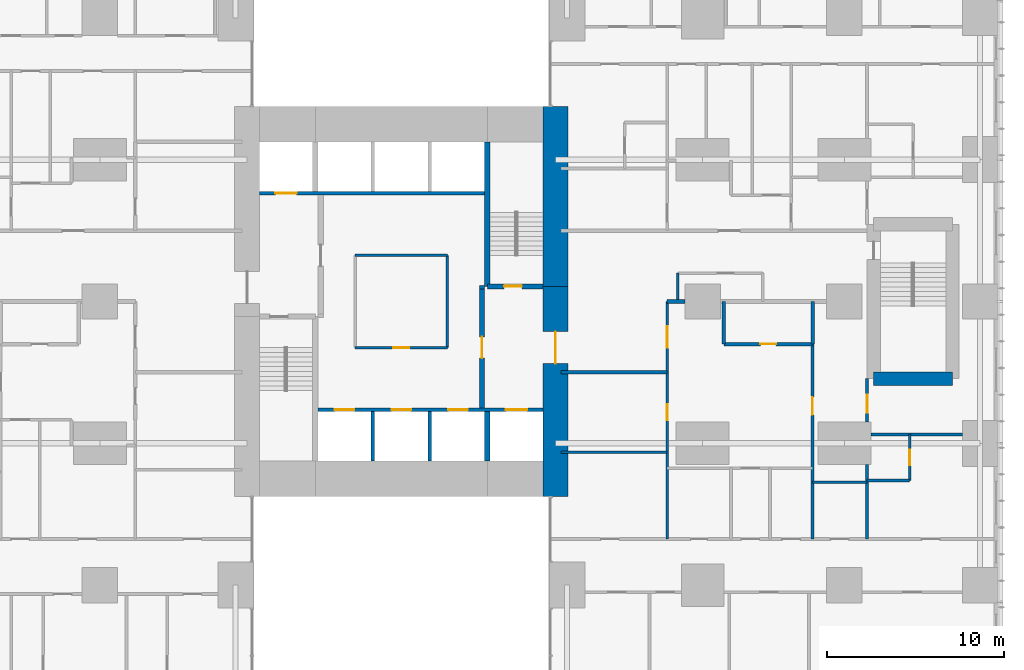
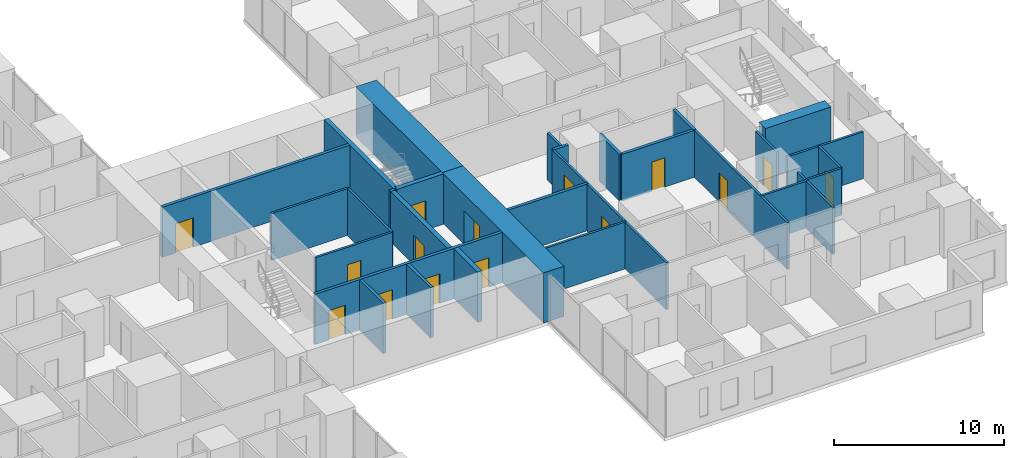
# One storey, part 15 of 20: 30 walls, 15 doors, 15 openings.
"""IFC4 building model written with IfcOpenShell, lengths in metres."""

from ifc_helpers import new_model, si_unit, direction, frame, frame_2d, origin, place, context, subcontext, project, spatial, rectangle, extrude, material, layer, layer_set, type_object, element, fill, save


model = new_model("IFC4")

# Units and contexts
model_context = context("Model", 3, precision=1e-05, world=origin(), true_north=direction((0.0, 1.0)))
body_context = subcontext(model_context, "Body", "Model", "MODEL_VIEW")
ifc_project = project(units=[si_unit("LENGTHUNIT", "METRE"), si_unit("AREAUNIT", "SQUARE_METRE"), si_unit("VOLUMEUNIT", "CUBIC_METRE"), si_unit("PLANEANGLEUNIT", "RADIAN"), si_unit("MASSUNIT", "GRAM", prefix="KILO")], contexts=[model_context])

# Site, building, storey
site_placement = place(None, origin())
site = spatial("IfcSite", under=ifc_project, at=site_placement, CompositionType="ELEMENT")
building_placement = place(site_placement, origin())
building = spatial("IfcBuilding", under=site, at=building_placement, Name="Cleftline Residences", CompositionType="ELEMENT")
storey_placement = place(building_placement, frame((0.0, 0.0, 33.199951171875)))
storey = spatial("IfcBuildingStorey", under=building, at=storey_placement, Name="L07", CompositionType="ELEMENT", Elevation=33.199951171875)

# Wall, opening, door
ifc_material_1 = material(Name="Concrete B70", Category="concrete")
ifc_layer_1 = layer(ifc_material_1, 1.39990234375)
ifc_layer_set_1 = layer_set([ifc_layer_1], Name="CORE WALL 1400")
wall_type_1 = type_object("IfcWallType", Name="CORE WALL 1400", PredefinedType="SHEAR", material=ifc_layer_set_1)
wall_1_placement = place(storey_placement, frame((41.699951171875, 13.0, 0.0), z_axis=(0.0, 0.0, 1.0), x_axis=(0.0, 1.0, 0.0)))
wall_1 = element("IfcWall", 1, at=wall_1_placement, inside=storey, type_object=wall_type_1, Name="Core wall E", PredefinedType="SHEAR", context=body_context, shape_type="SweptSolid", body=[
    extrude(rectangle(XDim=11.85009765625, YDim=1.39990234375, at=frame_2d((5.925048828125, 0.0))), origin(), (0.0, 0.0, 1.0), 3.60009765625),
])
opening_1_placement = place(wall_1_placement, frame((7.5, 0.0, 0.0)))
opening_1 = element("IfcOpeningElement", 2, at=opening_1_placement, cuts=wall_1, Name="Opening D7", PredefinedType="OPENING", context=body_context, shape_type="SweptSolid", body=[
    extrude(rectangle(XDim=1.800048828125, YDim=2.39990234375, at=frame_2d((0.89990234375, 1.199951171875))), frame((0.0, 0.7099609375, 0.0), z_axis=(0.0, -1.0, 0.0), x_axis=(1.0, 0.0, 0.0)), (0.0, 0.0, 1.0), 1.419921875),
])
ifc_material_2 = material(Name="Steel", Category="steel")
door_type_1 = type_object("IfcDoorType", Name="WING DOOR 1800X2400", OperationType="DOUBLE_DOOR_DOUBLE_SWING", PredefinedType="DOOR", material=ifc_material_2)
door_1_placement = place(opening_1_placement, origin())
door_1 = element("IfcDoor", 3, at=door_1_placement, inside=storey, type_object=door_type_1, Name="East wing door", OperationType="DOUBLE_DOOR_DOUBLE_SWING", OverallHeight=2.39990234375, OverallWidth=1.800048828125, PredefinedType="DOOR", context=body_context, shape_type="SweptSolid", body=[
    extrude(rectangle(XDim=1.800048828125, YDim=2.39990234375, at=frame_2d((0.89990234375, 1.199951171875))), frame((0.0, 0.02490234375, 0.0), z_axis=(0.0, -1.0, 0.0), x_axis=(1.0, 0.0, 0.0)), (0.0, 0.0, 1.0), 0.050048828125),
])
fill(opening_1, door_1)

# Walls
wall_2_placement = place(storey_placement, frame((41.699951171875, 24.85009765625, 0.0), z_axis=(0.0, 0.0, 1.0), x_axis=(0.0, 1.0, 0.0)))
element("IfcWall", 4, at=wall_2_placement, inside=storey, type_object=wall_type_1, Name="Core wall E1", PredefinedType="SHEAR", context=body_context, shape_type="SweptSolid", body=[
    extrude(rectangle(XDim=10.14990234375, YDim=1.39990234375, at=frame_2d((5.074951171875, 0.0))), origin(), (0.0, 0.0, 1.0), 3.60009765625),
])
ifc_material_3 = material(Name="Concrete B70", Category="concrete")
ifc_layer_2 = layer(ifc_material_3, 0.300048828125)
ifc_layer_set_2 = layer_set([ifc_layer_2], Name="CORE WALL 300")
wall_type_2 = type_object("IfcWallType", Name="CORE WALL 300", PredefinedType="SHEAR", material=ifc_layer_set_2)
wall_3_placement = place(storey_placement, frame((37.85009765625, 24.85009765625, 0.0), z_axis=(0.0, 0.0, 1.0), x_axis=(0.0, 1.0, 0.0)))
element("IfcWall", 5, at=wall_3_placement, inside=storey, type_object=wall_type_2, Name="Core wall SB-W", PredefinedType="SHEAR", context=body_context, shape_type="SweptSolid", body=[
    extrude(rectangle(XDim=8.14990234375, YDim=0.300048828125, at=frame_2d((4.074951171875, 0.0))), origin(), (0.0, 0.0, 1.0), 3.60009765625),
])

# Wall, opening, door
wall_4_placement = place(storey_placement, frame((37.85009765625, 24.85009765625, 0.0), z_axis=(0.0, 0.0, 1.0), x_axis=(1.0, 0.0, 0.0)))
wall_4 = element("IfcWall", 6, at=wall_4_placement, inside=storey, type_object=wall_type_2, Name="Core wall SB-S", PredefinedType="SHEAR", context=body_context, shape_type="SweptSolid", body=[
    extrude(rectangle(XDim=3.14990234375, YDim=0.300048828125, at=frame_2d((1.574951171875, 0.0))), origin(), (0.0, 0.0, 1.0), 3.60009765625),
])
opening_2_placement = place(wall_4_placement, frame((0.949951171875, 0.0, 0.0)))
opening_2 = element("IfcOpeningElement", 7, at=opening_2_placement, cuts=wall_4, Name="Opening D5", PredefinedType="OPENING", context=body_context, shape_type="SweptSolid", body=[
    extrude(rectangle(XDim=1.0, YDim=2.10009765625, at=frame_2d((0.5, 1.050048828125))), frame((0.0, 0.159912109375, 0.0), z_axis=(0.0, -1.0, 0.0), x_axis=(1.0, 0.0, 0.0)), (0.0, 0.0, 1.0), 0.320068359375),
])
ifc_material_4 = material(Name="Steel", Category="steel")
door_type_2 = type_object("IfcDoorType", Name="STAIR DOOR 1000X2100", OperationType="SINGLE_SWING_LEFT", PredefinedType="DOOR", material=ifc_material_4)
door_2_placement = place(opening_2_placement, origin())
door_2 = element("IfcDoor", 8, at=door_2_placement, inside=storey, type_object=door_type_2, Name="Stair B door", OperationType="SINGLE_SWING_RIGHT", OverallHeight=2.10009765625, OverallWidth=1.0, PredefinedType="DOOR", context=body_context, shape_type="SweptSolid", body=[
    extrude(rectangle(XDim=1.0, YDim=2.10009765625, at=frame_2d((0.5, 1.050048828125))), frame((0.0, 0.02490234375, 0.0), z_axis=(0.0, -1.0, 0.0), x_axis=(1.0, 0.0, 0.0)), (0.0, 0.0, 1.0), 0.050048828125),
])
fill(opening_2, door_2)

# Walls
wall_5_placement = place(storey_placement, frame((37.85009765625, 15.0, 0.0), z_axis=(0.0, 0.0, 1.0), x_axis=(0.0, 1.0, 0.0)))
element("IfcWall", 9, at=wall_5_placement, inside=storey, type_object=wall_type_2, Name="Lift shaft wall", PredefinedType="SHEAR", context=body_context, shape_type="SweptSolid", body=[
    extrude(rectangle(XDim=2.800048828125, YDim=0.300048828125, at=frame_2d((1.39990234375, 0.0))), origin(), (0.0, 0.0, 1.0), 3.60009765625),
])
ifc_material_5 = material(Name="Concrete blockwork, fire rated", Category="masonry")
ifc_layer_3 = layer(ifc_material_5, 0.199951171875)
ifc_layer_set_3 = layer_set([ifc_layer_3], Name="FIRE WALL 200")
wall_type_3 = type_object("IfcWallType", Name="FIRE WALL 200", PredefinedType="PARTITIONING", material=ifc_layer_set_3)
wall_6_placement = place(storey_placement, frame((42.0, 20.0, 0.0), z_axis=(0.0, 0.0, 1.0), x_axis=(1.0, 0.0, 0.0)))
element("IfcWall", 10, at=wall_6_placement, inside=storey, type_object=wall_type_3, Name="Fire separating wall", PredefinedType="PARTITIONING", context=body_context, shape_type="SweptSolid", body=[
    extrude(rectangle(XDim=6.0, YDim=0.199951171875, at=frame_2d((3.0, 0.0))), origin(), (0.0, 0.0, 1.0), 3.35009765625),
])

# Wall, opening, door
wall_7_placement = place(storey_placement, frame((51.199951171875, 21.60009765625, 0.0), z_axis=(0.0, 0.0, 1.0), x_axis=(1.0, 0.0, 0.0)))
wall_7 = element("IfcWall", 11, at=wall_7_placement, inside=storey, type_object=wall_type_3, Name="Fire separating wall", PredefinedType="PARTITIONING", context=body_context, shape_type="SweptSolid", body=[
    extrude(rectangle(XDim=5.0, YDim=0.199951171875, at=frame_2d((2.5, 0.0))), origin(), (0.0, 0.0, 1.0), 3.35009765625),
])
opening_3_placement = place(wall_7_placement, frame((2.050048828125, 0.0, 0.0)))
opening_3 = element("IfcOpeningElement", 12, at=opening_3_placement, cuts=wall_7, Name="Opening D1F30", PredefinedType="OPENING", context=body_context, shape_type="SweptSolid", body=[
    extrude(rectangle(XDim=0.89990234375, YDim=2.10009765625, at=frame_2d((0.449951171875, 1.050048828125))), frame((0.0, 0.10986328125, 0.0), z_axis=(0.0, -1.0, 0.0), x_axis=(1.0, 0.0, 0.0)), (0.0, 0.0, 1.0), 0.219970703125),
])
ifc_material_6 = material(Name="Timber veneer on solid core", Category="wood")
door_type_3 = type_object("IfcDoorType", Name="DOOR 900X2100 EI 30", OperationType="SINGLE_SWING_LEFT", PredefinedType="DOOR", material=ifc_material_6)
door_3_placement = place(opening_3_placement, origin())
door_3 = element("IfcDoor", 13, at=door_3_placement, inside=storey, type_object=door_type_3, Name="Door to cloakroom wc", OperationType="SINGLE_SWING_LEFT", OverallHeight=2.10009765625, OverallWidth=0.89990234375, PredefinedType="DOOR", context=body_context, shape_type="SweptSolid", body=[
    extrude(rectangle(XDim=0.89990234375, YDim=2.10009765625, at=frame_2d((0.449951171875, 1.050048828125))), frame((0.0, 0.02490234375, 0.0), z_axis=(0.0, -1.0, 0.0), x_axis=(1.0, 0.0, 0.0)), (0.0, 0.0, 1.0), 0.050048828125),
])
fill(opening_3, door_3)

# Walls
wall_8_placement = place(storey_placement, frame((48.0, 24.0, 0.0), z_axis=(0.0, 0.0, 1.0), x_axis=(1.0, 0.0, 0.0)))
element("IfcWall", 14, at=wall_8_placement, inside=storey, type_object=wall_type_3, Name="Fire separating wall", PredefinedType="PARTITIONING", context=body_context, shape_type="SweptSolid", body=[
    extrude(rectangle(XDim=1.0, YDim=0.199951171875, at=frame_2d((0.5, 0.0))), origin(), (0.0, 0.0, 1.0), 3.35009765625),
])
for number, where, z_axis, x_axis, name in (
    (15, (51.199951171875, 21.60009765625, 0.0), (0.0, 0.0, 1.0), (0.0, 1.0, 0.0), "Fire separating wall"),
    (16, (56.199951171875, 21.60009765625, 0.0), (0.0, 0.0, 1.0), (0.0, 1.0, 0.0), "Fire separating wall"),
):
    element("IfcWall", number, at=place(storey_placement, frame(where, z_axis=z_axis, x_axis=x_axis)), inside=storey, type_object=wall_type_3, Name=name, PredefinedType="PARTITIONING", context=body_context, shape_type="SweptSolid", body=[
        extrude(rectangle(XDim=2.39990234375, YDim=0.199951171875, at=frame_2d((1.199951171875, 0.0))), origin(), (0.0, 0.0, 1.0), 3.35009765625),
    ])
wall_9_placement = place(storey_placement, frame((37.39990234375, 24.800048828125, 0.0), z_axis=(0.0, 0.0, 1.0), x_axis=(1.0, 0.0, 0.0)))
element("IfcWall", 17, at=wall_9_placement, inside=storey, type_object=wall_type_3, Name="Fire separating wall", PredefinedType="PARTITIONING", context=body_context, shape_type="SweptSolid", body=[
    extrude(rectangle(XDim=0.300048828125, YDim=0.199951171875, at=frame_2d((0.14990234375, 0.0))), origin(), (0.0, 0.0, 1.0), 3.60009765625),
])
ifc_material_7 = material(Name="Gypsum board on steel studs", Category="steel")
ifc_layer_4 = layer(ifc_material_7, 0.14990234375)
ifc_layer_set_4 = layer_set([ifc_layer_4], Name="PARTITION 150")
wall_type_4 = type_object("IfcWallType", Name="PARTITION 150", PredefinedType="PARTITIONING", material=ifc_layer_set_4)
wall_10_placement = place(storey_placement, frame((56.199951171875, 13.800048828125, 0.0), z_axis=(0.0, 0.0, 1.0), x_axis=(1.0, 0.0, 0.0)))
element("IfcWall", 18, at=wall_10_placement, inside=storey, type_object=wall_type_4, Name="Partition", PredefinedType="PARTITIONING", context=body_context, shape_type="SweptSolid", body=[
    extrude(rectangle(XDim=3.074951171875, YDim=0.14990234375, at=frame_2d((1.53759765625, 0.0))), origin(), (0.0, 0.0, 1.0), 3.35009765625),
])
wall_11_placement = place(storey_placement, frame((59.27490234375, 13.89990234375, 0.0), z_axis=(0.0, 0.0, 1.0), x_axis=(1.0, 0.0, 0.0)))
element("IfcWall", 19, at=wall_11_placement, inside=storey, type_object=wall_type_4, Name="Partition", PredefinedType="PARTITIONING", context=body_context, shape_type="SweptSolid", body=[
    extrude(rectangle(XDim=2.400146484375, YDim=0.14990234375, at=frame_2d((1.2001953125, 0.0))), origin(), (0.0, 0.0, 1.0), 3.35009765625),
])
wall_12_placement = place(storey_placement, frame((42.0, 15.5, 0.0), z_axis=(0.0, 0.0, 1.0), x_axis=(1.0, 0.0, 0.0)))
element("IfcWall", 20, at=wall_12_placement, inside=storey, type_object=wall_type_4, Name="Partition", PredefinedType="PARTITIONING", context=body_context, shape_type="SweptSolid", body=[
    extrude(rectangle(XDim=6.0, YDim=0.14990234375, at=frame_2d((3.0, 0.0))), origin(), (0.0, 0.0, 1.0), 3.35009765625),
])
wall_13_placement = place(storey_placement, frame((59.5, 16.5, 0.0), z_axis=(0.0, 0.0, 1.0), x_axis=(1.0, 0.0, 0.0)))
element("IfcWall", 21, at=wall_13_placement, inside=storey, type_object=wall_type_4, Name="Partition", PredefinedType="PARTITIONING", context=body_context, shape_type="SweptSolid", body=[
    extrude(rectangle(XDim=5.14990234375, YDim=0.14990234375, at=frame_2d((2.574951171875, 0.0))), origin(), (0.0, 0.0, 1.0), 3.35009765625),
])

# Wall, openings, doors
wall_14_placement = place(storey_placement, frame((48.0, 10.60009765625, 0.0), z_axis=(0.0, 0.0, 1.0), x_axis=(0.0, 1.0, 0.0)))
wall_14 = element("IfcWall", 22, at=wall_14_placement, inside=storey, type_object=wall_type_4, Name="Partition", PredefinedType="PARTITIONING", context=body_context, shape_type="SweptSolid", body=[
    extrude(rectangle(XDim=13.39990234375, YDim=0.14990234375, at=frame_2d((6.699951171875, 0.0))), origin(), (0.0, 0.0, 1.0), 3.35009765625),
])
opening_4_placement = place(wall_14_placement, frame((10.800048828125, 0.0, 0.0)))
opening_4 = element("IfcOpeningElement", 23, at=opening_4_placement, cuts=wall_14, Name="Opening D4", PredefinedType="OPENING", context=body_context, shape_type="SweptSolid", body=[
    extrude(rectangle(XDim=1.199951171875, YDim=2.39990234375, at=frame_2d((0.60009765625, 1.199951171875))), frame((0.0, 0.0849609375, 0.0), z_axis=(0.0, -1.0, 0.0), x_axis=(1.0, 0.0, 0.0)), (0.0, 0.0, 1.0), 0.169921875),
])
opening_5_placement = place(wall_14_placement, frame((6.699951171875, 0.0, 0.0)))
opening_5 = element("IfcOpeningElement", 24, at=opening_5_placement, cuts=wall_14, Name="Opening D1F60", PredefinedType="OPENING", context=body_context, shape_type="SweptSolid", body=[
    extrude(rectangle(XDim=0.89990234375, YDim=2.10009765625, at=frame_2d((0.449951171875, 1.050048828125))), frame((0.0, 0.0849609375, 0.0), z_axis=(0.0, -1.0, 0.0), x_axis=(1.0, 0.0, 0.0)), (0.0, 0.0, 1.0), 0.169921875),
])
ifc_material_8 = material(Name="Timber veneer on solid core", Category="wood")
door_type_4 = type_object("IfcDoorType", Name="APARTMENT ENTRANCE DOOR 1200X2400", OperationType="SINGLE_SWING_RIGHT", PredefinedType="DOOR", material=ifc_material_8)
door_4_placement = place(opening_4_placement, origin())
door_4 = element("IfcDoor", 25, at=door_4_placement, inside=storey, type_object=door_type_4, Name="Door to residence entrance foyer", OperationType="SINGLE_SWING_LEFT", OverallHeight=2.39990234375, OverallWidth=1.199951171875, PredefinedType="DOOR", context=body_context, shape_type="SweptSolid", body=[
    extrude(rectangle(XDim=1.199951171875, YDim=2.39990234375, at=frame_2d((0.60009765625, 1.199951171875))), frame((0.0, 0.02490234375, 0.0), z_axis=(0.0, -1.0, 0.0), x_axis=(1.0, 0.0, 0.0)), (0.0, 0.0, 1.0), 0.050048828125),
])
fill(opening_4, door_4)
ifc_material_9 = material(Name="Timber veneer on solid core", Category="wood")
door_type_5 = type_object("IfcDoorType", Name="DOOR 900X2100 EI 60", OperationType="SINGLE_SWING_LEFT", PredefinedType="DOOR", material=ifc_material_9)
door_5_placement = place(opening_5_placement, origin())
door_5 = element("IfcDoor", 26, at=door_5_placement, inside=storey, type_object=door_type_5, Name="Door to utility room", OperationType="SINGLE_SWING_LEFT", OverallHeight=2.10009765625, OverallWidth=0.89990234375, PredefinedType="DOOR", context=body_context, shape_type="SweptSolid", body=[
    extrude(rectangle(XDim=0.89990234375, YDim=2.10009765625, at=frame_2d((0.449951171875, 1.050048828125))), frame((0.0, 0.02490234375, 0.0), z_axis=(0.0, -1.0, 0.0), x_axis=(1.0, 0.0, 0.0)), (0.0, 0.0, 1.0), 0.050048828125),
])
fill(opening_5, door_5)

# Wall
wall_15_placement = place(storey_placement, frame((48.60009765625, 24.0, 0.0), z_axis=(0.0, 0.0, 1.0), x_axis=(0.0, 1.0, 0.0)))
element("IfcWall", 27, at=wall_15_placement, inside=storey, type_object=wall_type_4, Name="Partition", PredefinedType="PARTITIONING", context=body_context, shape_type="SweptSolid", body=[
    extrude(rectangle(XDim=1.60009765625, YDim=0.14990234375, at=frame_2d((0.800048828125, 0.0))), origin(), (0.0, 0.0, 1.0), 3.35009765625),
])

# Wall, opening, door
wall_16_placement = place(storey_placement, frame((56.199951171875, 10.60009765625, 0.0), z_axis=(0.0, 0.0, 1.0), x_axis=(0.0, 1.0, 0.0)))
wall_16 = element("IfcWall", 28, at=wall_16_placement, inside=storey, type_object=wall_type_4, Name="Partition", PredefinedType="PARTITIONING", context=body_context, shape_type="SweptSolid", body=[
    extrude(rectangle(XDim=11.0, YDim=0.14990234375, at=frame_2d((5.5, 0.0))), origin(), (0.0, 0.0, 1.0), 3.35009765625),
])
opening_6_placement = place(wall_16_placement, frame((7.0, 0.0, 0.0)))
opening_6 = element("IfcOpeningElement", 29, at=opening_6_placement, cuts=wall_16, Name="Opening D2F30", PredefinedType="OPENING", context=body_context, shape_type="SweptSolid", body=[
    extrude(rectangle(XDim=1.0, YDim=2.10009765625, at=frame_2d((0.5, 1.050048828125))), frame((0.0, 0.0849609375, 0.0), z_axis=(0.0, -1.0, 0.0), x_axis=(1.0, 0.0, 0.0)), (0.0, 0.0, 1.0), 0.169921875),
])
ifc_material_10 = material(Name="Timber veneer on solid core", Category="wood")
door_type_6 = type_object("IfcDoorType", Name="DOOR 1000X2100 EI 30", OperationType="SINGLE_SWING_LEFT", PredefinedType="DOOR", material=ifc_material_10)
door_6_placement = place(opening_6_placement, origin())
door_6 = element("IfcDoor", 30, at=door_6_placement, inside=storey, type_object=door_type_6, Name="Door to residence lobby", OperationType="SINGLE_SWING_LEFT", OverallHeight=2.10009765625, OverallWidth=1.0, PredefinedType="DOOR", context=body_context, shape_type="SweptSolid", body=[
    extrude(rectangle(XDim=1.0, YDim=2.10009765625, at=frame_2d((0.5, 1.050048828125))), frame((0.0, 0.02490234375, 0.0), z_axis=(0.0, -1.0, 0.0), x_axis=(1.0, 0.0, 0.0)), (0.0, 0.0, 1.0), 0.050048828125),
])
fill(opening_6, door_6)

# Wall
wall_17_placement = place(storey_placement, frame((59.27490234375, 10.60009765625, 0.0), z_axis=(0.0, 0.0, 1.0), x_axis=(0.0, 1.0, 0.0)))
element("IfcWall", 31, at=wall_17_placement, inside=storey, type_object=wall_type_4, Name="Partition", PredefinedType="PARTITIONING", context=body_context, shape_type="SweptSolid", body=[
    extrude(rectangle(XDim=4.199951171875, YDim=0.14990234375, at=frame_2d((2.10009765625, 0.0))), origin(), (0.0, 0.0, 1.0), 3.35009765625),
])

# Wall, opening, door
wall_18_placement = place(storey_placement, frame((59.27490234375, 17.199951171875, 0.0), z_axis=(0.0, 0.0, 1.0), x_axis=(0.0, 1.0, 0.0)))
wall_18 = element("IfcWall", 32, at=wall_18_placement, inside=storey, type_object=wall_type_4, Name="Partition", PredefinedType="PARTITIONING", context=body_context, shape_type="SweptSolid", body=[
    extrude(rectangle(XDim=2.449951171875, YDim=0.14990234375, at=frame_2d((1.22509765625, 0.0))), origin(), (0.0, 0.0, 1.0), 3.35009765625),
])
opening_7_placement = place(wall_18_placement, frame((0.53759765625, 0.0, 0.0)))
opening_7 = element("IfcOpeningElement", 33, at=opening_7_placement, cuts=wall_18, Name="Opening D2", PredefinedType="OPENING", context=body_context, shape_type="SweptSolid", body=[
    extrude(rectangle(XDim=1.0, YDim=2.10009765625, at=frame_2d((0.5, 1.050048828125))), frame((0.0, 0.0849609375, 0.0), z_axis=(0.0, -1.0, 0.0), x_axis=(1.0, 0.0, 0.0)), (0.0, 0.0, 1.0), 0.169921875),
])
ifc_material_11 = material(Name="Timber veneer on solid core", Category="wood")
door_type_7 = type_object("IfcDoorType", Name="DOOR 1000X2100", OperationType="SINGLE_SWING_LEFT", PredefinedType="DOOR", material=ifc_material_11)
door_7_placement = place(opening_7_placement, origin())
door_7 = element("IfcDoor", 34, at=door_7_placement, inside=storey, type_object=door_type_7, Name="Door to bedroom 2", OperationType="SINGLE_SWING_RIGHT", OverallHeight=2.10009765625, OverallWidth=1.0, PredefinedType="DOOR", context=body_context, shape_type="SweptSolid", body=[
    extrude(rectangle(XDim=1.0, YDim=2.10009765625, at=frame_2d((0.5, 1.050048828125))), frame((0.0, 0.02490234375, 0.0), z_axis=(0.0, -1.0, 0.0), x_axis=(1.0, 0.0, 0.0)), (0.0, 0.0, 1.0), 0.050048828125),
])
fill(opening_7, door_7)

wall_19_placement = place(storey_placement, frame((61.675048828125, 13.89990234375, 0.0), z_axis=(0.0, 0.0, 1.0), x_axis=(0.0, 1.0, 0.0)))
wall_19 = element("IfcWall", 35, at=wall_19_placement, inside=storey, type_object=wall_type_4, Name="Partition", PredefinedType="PARTITIONING", context=body_context, shape_type="SweptSolid", body=[
    extrude(rectangle(XDim=2.60009765625, YDim=0.14990234375, at=frame_2d((1.300048828125, 0.0))), origin(), (0.0, 0.0, 1.0), 3.35009765625),
])
opening_8_placement = place(wall_19_placement, frame((0.85009765625, 0.0, 0.0)))
opening_8 = element("IfcOpeningElement", 36, at=opening_8_placement, cuts=wall_19, Name="Opening D1", PredefinedType="OPENING", context=body_context, shape_type="SweptSolid", body=[
    extrude(rectangle(XDim=0.89990234375, YDim=2.10009765625, at=frame_2d((0.449951171875, 1.050048828125))), frame((0.0, 0.0849609375, 0.0), z_axis=(0.0, -1.0, 0.0), x_axis=(1.0, 0.0, 0.0)), (0.0, 0.0, 1.0), 0.169921875),
])
ifc_material_12 = material(Name="Timber veneer on solid core", Category="wood")
door_type_8 = type_object("IfcDoorType", Name="DOOR 900X2100", OperationType="SINGLE_SWING_LEFT", PredefinedType="DOOR", material=ifc_material_12)
door_8_placement = place(opening_8_placement, origin())
door_8 = element("IfcDoor", 37, at=door_8_placement, inside=storey, type_object=door_type_8, Name="Door to master bathroom", OperationType="SINGLE_SWING_LEFT", OverallHeight=2.10009765625, OverallWidth=0.89990234375, PredefinedType="DOOR", context=body_context, shape_type="SweptSolid", body=[
    extrude(rectangle(XDim=0.89990234375, YDim=2.10009765625, at=frame_2d((0.449951171875, 1.050048828125))), frame((0.0, 0.02490234375, 0.0), z_axis=(0.0, -1.0, 0.0), x_axis=(1.0, 0.0, 0.0)), (0.0, 0.0, 1.0), 0.050048828125),
])
fill(opening_8, door_8)

ifc_material_13 = material(Name="Fire-resisting gypsum board on steel studs", Category="steel")
ifc_layer_5 = layer(ifc_material_13, 0.14990234375)
ifc_layer_set_5 = layer_set([ifc_layer_5], Name="PARTITION 150 EI 60")
wall_type_5 = type_object("IfcWallType", Name="PARTITION 150 EI 60", PredefinedType="PARTITIONING", material=ifc_layer_set_5)
wall_20_placement = place(storey_placement, frame((30.39990234375, 21.39990234375, 0.0), z_axis=(0.0, 0.0, 1.0), x_axis=(1.0, 0.0, 0.0)))
wall_20 = element("IfcWall", 38, at=wall_20_placement, inside=storey, type_object=wall_type_5, Name="Core room partition", PredefinedType="PARTITIONING", context=body_context, shape_type="SweptSolid", body=[
    extrude(rectangle(XDim=5.2001953125, YDim=0.14990234375, at=frame_2d((2.60009765625, 0.0))), origin(), (0.0, 0.0, 1.0), 3.35009765625),
])
opening_9_placement = place(wall_20_placement, frame((2.14990234375, 0.0, 0.0)))
opening_9 = element("IfcOpeningElement", 39, at=opening_9_placement, cuts=wall_20, Name="Opening D1F30", PredefinedType="OPENING", context=body_context, shape_type="SweptSolid", body=[
    extrude(rectangle(XDim=0.89990234375, YDim=2.10009765625, at=frame_2d((0.449951171875, 1.050048828125))), frame((0.0, 0.0849609375, 0.0), z_axis=(0.0, -1.0, 0.0), x_axis=(1.0, 0.0, 0.0)), (0.0, 0.0, 1.0), 0.169921875),
])
door_9_placement = place(opening_9_placement, origin())
door_9 = element("IfcDoor", 40, at=door_9_placement, inside=storey, type_object=door_type_3, Name="Door to housekeeping store", OperationType="SINGLE_SWING_LEFT", OverallHeight=2.10009765625, OverallWidth=0.89990234375, PredefinedType="DOOR", context=body_context, shape_type="SweptSolid", body=[
    extrude(rectangle(XDim=0.89990234375, YDim=2.10009765625, at=frame_2d((0.449951171875, 1.050048828125))), frame((0.0, 0.02490234375, 0.0), z_axis=(0.0, -1.0, 0.0), x_axis=(1.0, 0.0, 0.0)), (0.0, 0.0, 1.0), 0.050048828125),
])
fill(opening_9, door_9)

# Walls
for number, where, z_axis, x_axis, name in (
    (41, (30.39990234375, 26.60009765625, 0.0), (0.0, 0.0, 1.0), (1.0, 0.0, 0.0), "Core room partition"),
    (42, (35.60009765625, 21.39990234375, 0.0), (0.0, 0.0, 1.0), (0.0, 1.0, 0.0), "Core room partition"),
):
    element("IfcWall", number, at=place(storey_placement, frame(where, z_axis=z_axis, x_axis=x_axis)), inside=storey, type_object=wall_type_5, Name=name, PredefinedType="PARTITIONING", context=body_context, shape_type="SweptSolid", body=[
        extrude(rectangle(XDim=5.2001953125, YDim=0.14990234375, at=frame_2d((2.60009765625, 0.0))), origin(), (0.0, 0.0, 1.0), 3.35009765625),
    ])

# Wall, openings, doors
ifc_material_14 = material(Name="Concrete blockwork, fire rated", Category="masonry")
ifc_layer_6 = layer(ifc_material_14, 0.199951171875)
ifc_layer_set_6 = layer_set([ifc_layer_6], Name="SHAFT WALL 200")
wall_type_6 = type_object("IfcWallType", Name="SHAFT WALL 200", PredefinedType="PARTITIONING", material=ifc_layer_set_6)
wall_21_placement = place(storey_placement, frame((28.300048828125, 17.89990234375, 0.0), z_axis=(0.0, 0.0, 1.0), x_axis=(1.0, 0.0, 0.0)))
wall_21 = element("IfcWall", 43, at=wall_21_placement, inside=storey, type_object=wall_type_6, Name="Lift shaft wall", PredefinedType="PARTITIONING", context=body_context, shape_type="SweptSolid", body=[
    extrude(rectangle(XDim=12.699951171875, YDim=0.199951171875, at=frame_2d((6.35009765625, 0.0))), origin(), (0.0, 0.0, 1.0), 3.60009765625),
])
opening_10_placement = place(wall_21_placement, frame((0.949951171875, 0.0, 0.0)))
opening_10 = element("IfcOpeningElement", 44, at=opening_10_placement, cuts=wall_21, Name="Opening LD1", PredefinedType="OPENING", context=body_context, shape_type="SweptSolid", body=[
    extrude(rectangle(XDim=1.10009765625, YDim=2.10009765625, at=frame_2d((0.550048828125, 1.050048828125))), frame((0.0, 0.10986328125, 0.0), z_axis=(0.0, -1.0, 0.0), x_axis=(1.0, 0.0, 0.0)), (0.0, 0.0, 1.0), 0.219970703125),
])
opening_11_placement = place(wall_21_placement, frame((4.14990234375, 0.0, 0.0)))
opening_11 = element("IfcOpeningElement", 45, at=opening_11_placement, cuts=wall_21, Name="Opening LD1", PredefinedType="OPENING", context=body_context, shape_type="SweptSolid", body=[
    extrude(rectangle(XDim=1.10009765625, YDim=2.10009765625, at=frame_2d((0.550048828125, 1.050048828125))), frame((0.0, 0.10986328125, 0.0), z_axis=(0.0, -1.0, 0.0), x_axis=(1.0, 0.0, 0.0)), (0.0, 0.0, 1.0), 0.219970703125),
])
opening_12_placement = place(wall_21_placement, frame((7.35009765625, 0.0, 0.0)))
opening_12 = element("IfcOpeningElement", 46, at=opening_12_placement, cuts=wall_21, Name="Opening LD1", PredefinedType="OPENING", context=body_context, shape_type="SweptSolid", body=[
    extrude(rectangle(XDim=1.10009765625, YDim=2.10009765625, at=frame_2d((0.550048828125, 1.050048828125))), frame((0.0, 0.10986328125, 0.0), z_axis=(0.0, -1.0, 0.0), x_axis=(1.0, 0.0, 0.0)), (0.0, 0.0, 1.0), 0.219970703125),
])
opening_13_placement = place(wall_21_placement, frame((10.60009765625, 0.0, 0.0)))
opening_13 = element("IfcOpeningElement", 47, at=opening_13_placement, cuts=wall_21, Name="Opening LD2", PredefinedType="OPENING", context=body_context, shape_type="SweptSolid", body=[
    extrude(rectangle(XDim=1.199951171875, YDim=2.10009765625, at=frame_2d((0.60009765625, 1.050048828125))), frame((0.0, 0.10986328125, 0.0), z_axis=(0.0, -1.0, 0.0), x_axis=(1.0, 0.0, 0.0)), (0.0, 0.0, 1.0), 0.219970703125),
])
ifc_material_15 = material(Name="Steel", Category="steel")
door_type_9 = type_object("IfcDoorType", Name="FIREFIGHTING LIFT LANDING DOOR 1200X2100", OperationType="SLIDING_TO_LEFT", PredefinedType="DOOR", material=ifc_material_15)
door_10_placement = place(opening_13_placement, origin())
door_10 = element("IfcDoor", 48, at=door_10_placement, inside=storey, type_object=door_type_9, Name="Lift FL2 landing door", OperationType="SLIDING_TO_LEFT", OverallHeight=2.10009765625, OverallWidth=1.199951171875, PredefinedType="DOOR", context=body_context, shape_type="SweptSolid", body=[
    extrude(rectangle(XDim=1.199951171875, YDim=2.10009765625, at=frame_2d((0.60009765625, 1.050048828125))), frame((0.0, 0.02490234375, 0.0), z_axis=(0.0, -1.0, 0.0), x_axis=(1.0, 0.0, 0.0)), (0.0, 0.0, 1.0), 0.050048828125),
])
fill(opening_13, door_10)
ifc_material_16 = material(Name="Steel", Category="steel")
door_type_10 = type_object("IfcDoorType", Name="LIFT LANDING DOOR 1100X2100", OperationType="SLIDING_TO_LEFT", PredefinedType="DOOR", material=ifc_material_16)
door_11_placement = place(opening_10_placement, origin())
door_11 = element("IfcDoor", 49, at=door_11_placement, inside=storey, type_object=door_type_10, Name="Lift P1 landing door", OperationType="SLIDING_TO_LEFT", OverallHeight=2.10009765625, OverallWidth=1.10009765625, PredefinedType="DOOR", context=body_context, shape_type="SweptSolid", body=[
    extrude(rectangle(XDim=1.10009765625, YDim=2.10009765625, at=frame_2d((0.550048828125, 1.050048828125))), frame((0.0, 0.02490234375, 0.0), z_axis=(0.0, -1.0, 0.0), x_axis=(1.0, 0.0, 0.0)), (0.0, 0.0, 1.0), 0.050048828125),
])
fill(opening_10, door_11)
door_12_placement = place(opening_11_placement, origin())
door_12 = element("IfcDoor", 50, at=door_12_placement, inside=storey, type_object=door_type_10, Name="Lift P2 landing door", OperationType="SLIDING_TO_LEFT", OverallHeight=2.10009765625, OverallWidth=1.10009765625, PredefinedType="DOOR", context=body_context, shape_type="SweptSolid", body=[
    extrude(rectangle(XDim=1.10009765625, YDim=2.10009765625, at=frame_2d((0.550048828125, 1.050048828125))), frame((0.0, 0.02490234375, 0.0), z_axis=(0.0, -1.0, 0.0), x_axis=(1.0, 0.0, 0.0)), (0.0, 0.0, 1.0), 0.050048828125),
])
fill(opening_11, door_12)
door_13_placement = place(opening_12_placement, origin())
door_13 = element("IfcDoor", 51, at=door_13_placement, inside=storey, type_object=door_type_10, Name="Lift P3 landing door", OperationType="SLIDING_TO_LEFT", OverallHeight=2.10009765625, OverallWidth=1.10009765625, PredefinedType="DOOR", context=body_context, shape_type="SweptSolid", body=[
    extrude(rectangle(XDim=1.10009765625, YDim=2.10009765625, at=frame_2d((0.550048828125, 1.050048828125))), frame((0.0, 0.02490234375, 0.0), z_axis=(0.0, -1.0, 0.0), x_axis=(1.0, 0.0, 0.0)), (0.0, 0.0, 1.0), 0.050048828125),
])
fill(opening_12, door_13)

# Wall, opening, door
wall_22_placement = place(storey_placement, frame((25.0, 30.10009765625, 0.0), z_axis=(0.0, 0.0, 1.0), x_axis=(1.0, 0.0, 0.0)))
wall_22 = element("IfcWall", 52, at=wall_22_placement, inside=storey, type_object=wall_type_6, Name="Lift shaft wall", PredefinedType="PARTITIONING", context=body_context, shape_type="SweptSolid", body=[
    extrude(rectangle(XDim=12.699951171875, YDim=0.199951171875, at=frame_2d((6.35009765625, 0.0))), origin(), (0.0, 0.0, 1.0), 3.60009765625),
])
opening_14_placement = place(wall_22_placement, frame((0.89990234375, 0.0, 0.0)))
opening_14 = element("IfcOpeningElement", 53, at=opening_14_placement, cuts=wall_22, Name="Opening LD2", PredefinedType="OPENING", context=body_context, shape_type="SweptSolid", body=[
    extrude(rectangle(XDim=1.199951171875, YDim=2.10009765625, at=frame_2d((0.60009765625, 1.050048828125))), frame((0.0, 0.10986328125, 0.0), z_axis=(0.0, -1.0, 0.0), x_axis=(1.0, 0.0, 0.0)), (0.0, 0.0, 1.0), 0.219970703125),
])
door_14_placement = place(opening_14_placement, origin())
door_14 = element("IfcDoor", 54, at=door_14_placement, inside=storey, type_object=door_type_9, Name="Lift FL1 landing door", OperationType="SLIDING_TO_LEFT", OverallHeight=2.10009765625, OverallWidth=1.199951171875, PredefinedType="DOOR", context=body_context, shape_type="SweptSolid", body=[
    extrude(rectangle(XDim=1.199951171875, YDim=2.10009765625, at=frame_2d((0.60009765625, 1.050048828125))), frame((0.0, 0.02490234375, 0.0), z_axis=(0.0, -1.0, 0.0), x_axis=(1.0, 0.0, 0.0)), (0.0, 0.0, 1.0), 0.050048828125),
])
fill(opening_14, door_14)

# Walls
for number, where, z_axis, x_axis, name in (
    (55, (31.39990234375, 15.0, 0.0), (0.0, 0.0, 1.0), (0.0, 1.0, 0.0), "Lift shaft wall"),
    (56, (34.60009765625, 15.0, 0.0), (0.0, 0.0, 1.0), (0.0, 1.0, 0.0), "Lift shaft wall"),
):
    element("IfcWall", number, at=place(storey_placement, frame(where, z_axis=z_axis, x_axis=x_axis)), inside=storey, type_object=wall_type_6, Name=name, PredefinedType="PARTITIONING", context=body_context, shape_type="SweptSolid", body=[
        extrude(rectangle(XDim=2.800048828125, YDim=0.199951171875, at=frame_2d((1.39990234375, 0.0))), origin(), (0.0, 0.0, 1.0), 3.60009765625),
    ])
ifc_material_17 = material(Name="Concrete B70", Category="concrete")
ifc_layer_7 = layer(ifc_material_17, 0.75)
ifc_layer_set_7 = layer_set([ifc_layer_7], Name="SHEAR WALL 750")
wall_type_7 = type_object("IfcWallType", Name="SHEAR WALL 750", PredefinedType="SHEAR", material=ifc_layer_set_7)
wall_23_placement = place(storey_placement, frame((59.64990234375, 19.64990234375, 0.0), z_axis=(0.0, 0.0, 1.0), x_axis=(1.0, 0.0, 0.0)))
element("IfcWall", 57, at=wall_23_placement, inside=storey, type_object=wall_type_7, Name="Wing shear wall", PredefinedType="SHEAR", context=body_context, shape_type="SweptSolid", body=[
    extrude(rectangle(XDim=4.4501953125, YDim=0.75, at=frame_2d((2.22509765625, 0.0))), origin(), (0.0, 0.0, 1.0), 3.60009765625),
])

# Wall, opening, door
ifc_material_18 = material(Name="Concrete blockwork, fire rated", Category="masonry")
ifc_layer_8 = layer(ifc_material_18, 0.300048828125)
ifc_layer_set_8 = layer_set([ifc_layer_8], Name="STAIR LOBBY WALL 300")
wall_type_8 = type_object("IfcWallType", Name="STAIR LOBBY WALL 300", PredefinedType="PARTITIONING", material=ifc_layer_set_8)
wall_24_placement = place(storey_placement, frame((37.550048828125, 18.0, 0.0), z_axis=(0.0, 0.0, 1.0), x_axis=(0.0, 1.0, 0.0)))
wall_24 = element("IfcWall", 58, at=wall_24_placement, inside=storey, type_object=wall_type_8, Name="Stair and lobby wall FB-W", PredefinedType="PARTITIONING", context=body_context, shape_type="SweptSolid", body=[
    extrude(rectangle(XDim=6.699951171875, YDim=0.300048828125, at=frame_2d((3.35009765625, 0.0))), origin(), (0.0, 0.0, 1.0), 3.60009765625),
])
opening_15_placement = place(wall_24_placement, frame((2.800048828125, 0.0, 0.0)))
opening_15 = element("IfcOpeningElement", 59, at=opening_15_placement, cuts=wall_24, Name="Opening D6", PredefinedType="OPENING", context=body_context, shape_type="SweptSolid", body=[
    extrude(rectangle(XDim=1.199951171875, YDim=2.10009765625, at=frame_2d((0.60009765625, 1.050048828125))), frame((0.0, 0.159912109375, 0.0), z_axis=(0.0, -1.0, 0.0), x_axis=(1.0, 0.0, 0.0)), (0.0, 0.0, 1.0), 0.320068359375),
])
ifc_material_19 = material(Name="Steel", Category="steel")
door_type_11 = type_object("IfcDoorType", Name="LOBBY DOOR 1200X2100", OperationType="SINGLE_SWING_RIGHT", PredefinedType="DOOR", material=ifc_material_19)
door_15_placement = place(opening_15_placement, origin())
door_15 = element("IfcDoor", 60, at=door_15_placement, inside=storey, type_object=door_type_11, Name="Firefighting lobby B door", OperationType="SINGLE_SWING_LEFT", OverallHeight=2.10009765625, OverallWidth=1.199951171875, PredefinedType="DOOR", context=body_context, shape_type="SweptSolid", body=[
    extrude(rectangle(XDim=1.199951171875, YDim=2.10009765625, at=frame_2d((0.60009765625, 1.050048828125))), frame((0.0, 0.02490234375, 0.0), z_axis=(0.0, -1.0, 0.0), x_axis=(1.0, 0.0, 0.0)), (0.0, 0.0, 1.0), 0.050048828125),
])
fill(opening_15, door_15)

save(model, "model.ifc")
